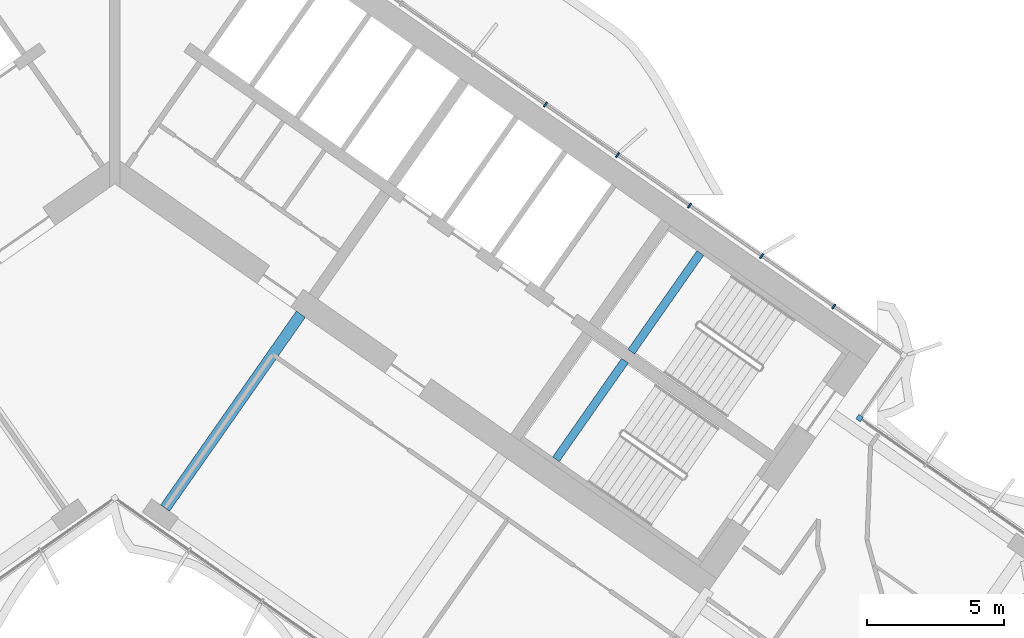
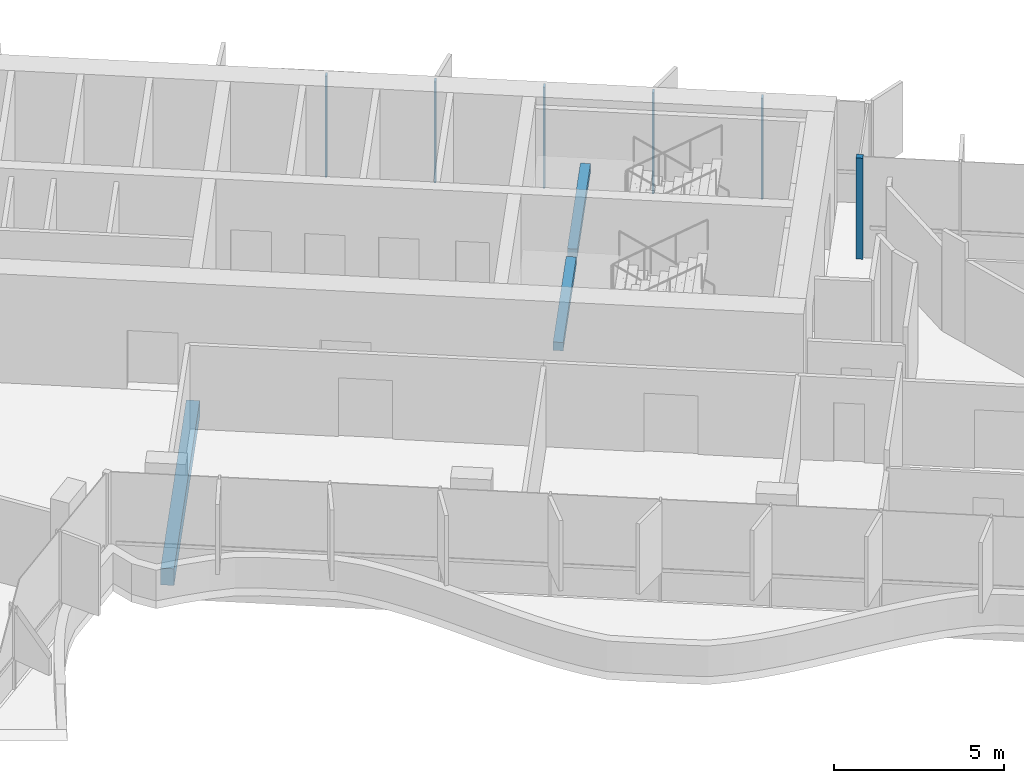
# One storey, part 6 of 21: 6 members, 3 beams, 1 element without a shape of its own.
"""IFC4 building model written with IfcOpenShell, lengths in metres."""

import ifcopenshell
import ifcopenshell.guid

model = None  # the IFC model being written
_history = None  # IfcOwnerHistory: only IFC2X3 demands one
_inside = {}  # id of a spatial element -> (the spatial element, [elements in it])
_under = {}  # id of a project, library or spatial element -> (it, [spatial elements below it])
_declared = {}  # id of a project -> (the project, [libraries it declares])
_typed = {}  # id of a type object -> (the type object, [elements of that type])
_made_of = {}  # id of a material, layer set ... -> (it, [elements and type objects made of it])


def new_model(schema):
    """Start an empty IFC model of exactly this schema.

    Asked for "IFC4X3", IfcOpenShell would pick the latest addendum, in which some entities
    have other attributes; the version numbers below select the first issue.
    IFC2X3 requires an IfcOwnerHistory on every rooted entity: one is made here for all.
    """
    global model, _history
    if schema == "IFC4X3":
        model = ifcopenshell.file(schema_version=(4, 3, 0, 0))
    else:
        model = ifcopenshell.file(schema=schema)
    _inside.clear()
    _under.clear()
    _declared.clear()
    _typed.clear()
    _made_of.clear()
    _history = None
    if model.schema == "IFC2X3":
        org = make("IfcOrganization", Name="unknown")
        user = make(
            "IfcPersonAndOrganization",
            ThePerson=make("IfcPerson", FamilyName="unknown"),
            TheOrganization=org,
        )
        app = make(
            "IfcApplication",
            ApplicationDeveloper=org,
            Version="unknown",
            ApplicationFullName="unknown",
            ApplicationIdentifier="unknown",
        )
        _history = make(
            "IfcOwnerHistory",
            OwningUser=user,
            OwningApplication=app,
            ChangeAction="ADDED",
            CreationDate=0,
        )
    return model


def make(cls, **values):
    """One entity of the class cls with the attributes given. An attribute that is None is left unset."""
    return model.create_entity(
        cls, **{name: value for name, value in values.items() if value is not None}
    )


def rooted(cls, **values):
    """An entity with a GlobalId (a new one), such as an element, a storey or a relation."""
    return make(cls, GlobalId=ifcopenshell.guid.new(), OwnerHistory=_history, **values)


def si_unit(unit_type, name, prefix=None):
    """IfcSIUnit, for example si_unit("LENGTHUNIT", "METRE", prefix="MILLI")."""
    return make("IfcSIUnit", UnitType=unit_type, Prefix=prefix, Name=name)


def assignment(units):
    """IfcUnitAssignment: the units of a project."""
    return None if units is None else make("IfcUnitAssignment", Units=units)


def point(xyz):
    """IfcCartesianPoint."""
    return None if xyz is None else make("IfcCartesianPoint", Coordinates=xyz)


def direction(xyz):
    """IfcDirection."""
    return None if xyz is None else make("IfcDirection", DirectionRatios=xyz)


def frame(location, z_axis=None, x_axis=None):
    """IfcAxis2Placement3D, a coordinate frame: its origin and axes. An axis left out is left unset."""
    return make(
        "IfcAxis2Placement3D",
        Location=point(location),
        Axis=direction(z_axis),
        RefDirection=direction(x_axis),
    )


def frame_2d(location, x_axis=None):
    """IfcAxis2Placement2D, a coordinate frame in the plane: its origin and x axis."""
    return make(
        "IfcAxis2Placement2D", Location=point(location), RefDirection=direction(x_axis)
    )


def origin():
    """The frame at (0, 0, 0) with its axes left unset."""
    return frame((0.0, 0.0, 0.0))


def origin_2d():
    """The frame at (0, 0) in the plane with its x axis left unset."""
    return frame_2d((0.0, 0.0))


def place(relative_to, where):
    """IfcLocalPlacement: puts the frame where relative to a parent placement (None: the world)."""
    return make(
        "IfcLocalPlacement", PlacementRelTo=relative_to, RelativePlacement=where
    )


def context(
    kind, dimensions, precision=None, world=None, true_north=None, identifier=None
):
    """IfcGeometricRepresentationContext, for example the 3D "Model" context."""
    return make(
        "IfcGeometricRepresentationContext",
        ContextIdentifier=identifier,
        ContextType=kind,
        CoordinateSpaceDimension=dimensions,
        Precision=precision,
        WorldCoordinateSystem=world,
        TrueNorth=true_north,
    )


def subcontext(parent, identifier, kind, view, scale=None):
    """IfcGeometricRepresentationSubContext, for example "Body" below "Model"."""
    return make(
        "IfcGeometricRepresentationSubContext",
        ContextIdentifier=identifier,
        ContextType=kind,
        ParentContext=parent,
        TargetScale=scale,
        TargetView=view,
    )


def project(units=None, contexts=None):
    """IfcProject with its units and contexts."""
    return rooted(
        "IfcProject",
        Name="project",
        RepresentationContexts=contexts,
        UnitsInContext=assignment(units),
    )


def spatial(cls, under=None, at=None, **own):
    """A site, building, storey or space (cls), placed at a placement, below another one or the project."""
    s = rooted(cls, ObjectPlacement=at, **own)
    if under is not None:
        _under.setdefault(under.id(), (under, []))[1].append(s)
    return s


def profile(cls, at=None, kind="AREA", **sizes):
    """A parametric profile (cls). Its sizes go by their IFC names, for example OverallWidth=200.0."""
    return make(cls, ProfileType=kind, Position=at, **sizes)


def rectangle(**sizes):
    """IfcRectangleProfileDef."""
    return profile("IfcRectangleProfileDef", **sizes)


def extrude(swept, where, along, depth):
    """IfcExtrudedAreaSolid: the profile swept, set in the frame where, extruded along a direction by depth."""
    return make(
        "IfcExtrudedAreaSolid",
        SweptArea=swept,
        Position=where,
        ExtrudedDirection=direction(along),
        Depth=depth,
    )


def shape(context_of_items, identifier, shape_type, items):
    """IfcShapeRepresentation: the items that make up one representation, for example the "Body"."""
    return make(
        "IfcShapeRepresentation",
        ContextOfItems=context_of_items,
        RepresentationIdentifier=identifier,
        RepresentationType=shape_type,
        Items=items,
    )


def material(Name=None, Category=None):
    """IfcMaterial."""
    return make("IfcMaterial", Name=Name, Category=Category)


def material_profile(
    of_material, cross_section, Name=None, Category=None, Priority=None
):
    """IfcMaterialProfile: a cross section and its material."""
    return make(
        "IfcMaterialProfile",
        Name=Name,
        Material=of_material,
        Profile=cross_section,
        Priority=Priority,
        Category=Category,
    )


def profile_set(profiles, Name=None, composite=None):
    """IfcMaterialProfileSet."""
    return make(
        "IfcMaterialProfileSet",
        Name=Name,
        MaterialProfiles=profiles,
        CompositeProfile=composite,
    )


def made_of(thing, what):
    """Note that an element or type object is made of a material, layer set ...; save() writes the relation."""
    if what is not None:
        _made_of.setdefault(what.id(), (what, []))[1].append(thing)
    return thing


def type_object(cls, material=None, **own):
    """A type object (cls), such as IfcWallType, which elements share."""
    return made_of(rooted(cls, **own), material)


def element(
    cls,
    number,
    at=None,
    inside=None,
    cuts=None,
    type_object=None,
    material=None,
    context=None,
    identifier="Body",
    shape_type=None,
    held_by="IfcProductDefinitionShape",
    body=None,
    shapes=None,
    **own,
):
    """One element of the class cls, such as IfcWall. Its Tag is "e" and its number.

    at: its placement. inside: the storey or other place that contains it. cuts: it is an
    opening in that element (IfcRelVoidsElement). A single representation is given by context,
    identifier, shape_type and body (its items); several are given by shapes. held_by: the class
    of the entity that holds the representations. save() writes the other relations.
    """
    e = rooted(cls, Tag="e%d" % number, ObjectPlacement=at, **own)
    if body is not None:
        shapes = [shape(context, identifier, shape_type, body)]
    if shapes is not None:
        e.Representation = make(held_by, Representations=shapes)
    if inside is not None:
        _inside.setdefault(inside.id(), (inside, []))[1].append(e)
    if cuts is not None:
        rooted(
            "IfcRelVoidsElement", RelatingBuildingElement=cuts, RelatedOpeningElement=e
        )
    if type_object is not None:
        _typed.setdefault(type_object.id(), (type_object, []))[1].append(e)
    return made_of(e, material)


def aggregate(whole, parts):
    """IfcRelAggregates: a whole, such as a stair, and the parts it consists of."""
    return rooted("IfcRelAggregates", RelatingObject=whole, RelatedObjects=parts)


def save(model, path):
    """Write the relations noted so far, then the file.

    IfcRelAggregates (storeys below a building ...), IfcRelContainedInSpatialStructure (elements
    in a storey), IfcRelDefinesByType, IfcRelAssociatesMaterial and IfcRelDeclares: one each for
    every whole, place, type object, material and project.
    """
    for whole, parts in _under.values():
        aggregate(whole, parts)
    for where, things in _inside.values():
        rooted(
            "IfcRelContainedInSpatialStructure",
            RelatedElements=things,
            RelatingStructure=where,
        )
    for kind, things in _typed.values():
        rooted("IfcRelDefinesByType", RelatedObjects=things, RelatingType=kind)
    for what, things in _made_of.values():
        rooted("IfcRelAssociatesMaterial", RelatedObjects=things, RelatingMaterial=what)
    for by, libraries in _declared.values():
        rooted("IfcRelDeclares", RelatingContext=by, RelatedDefinitions=libraries)
    model.write(path)


model = new_model("IFC4")

# Units and contexts
model_context = context("Model", 3, precision=1e-05, world=origin(), true_north=direction((0.0, 1.0)))
body_context = subcontext(model_context, "Body", "Model", "MODEL_VIEW")
ifc_project = project(units=[si_unit("LENGTHUNIT", "METRE"), si_unit("AREAUNIT", "SQUARE_METRE"), si_unit("VOLUMEUNIT", "CUBIC_METRE"), si_unit("PLANEANGLEUNIT", "RADIAN"), si_unit("MASSUNIT", "GRAM", prefix="KILO")], contexts=[model_context])

# Site, building, storey
site_placement = place(None, origin())
site = spatial("IfcSite", under=ifc_project, at=site_placement, CompositionType="ELEMENT")
building_placement = place(site_placement, origin())
building = spatial("IfcBuilding", under=site, at=building_placement, Name="Tel Ilan Convention Tower", CompositionType="ELEMENT")
storey_placement = place(building_placement, frame((0.0, 0.0, 206.10009765625)))
storey = spatial("IfcBuildingStorey", under=building, at=storey_placement, Name="L48", CompositionType="ELEMENT", Elevation=206.10009765625)

# Beam
ifc_material_1 = material(Name="Concrete C40/50", Category="concrete")
ifc_material_profile_1 = material_profile(ifc_material_1, rectangle(XDim=0.39990234375, YDim=0.60009765625, at=origin_2d()), Name="RC 400x600")
ifc_profile_set_1 = profile_set([ifc_material_profile_1], Name="Concrete C40/50")
beam_type_1 = type_object("IfcBeamType", Name="Beam RC 400x600 Concrete C40/50", PredefinedType="BEAM", material=ifc_profile_set_1)
beam_1_placement = place(storey_placement, frame((1.83740234375, -13.06689453125, -0.580078125), z_axis=(0.573574099654, 0.819153680457, 0.0), x_axis=(-0.819153680457, 0.573574099654, 0.0)))
element("IfcBeam", 1, at=beam_1_placement, inside=storey, type_object=beam_type_1, Name="L48 beam E-E-F1-core", PredefinedType="BEAM", context=body_context, shape_type="SweptSolid", body=[
    extrude(rectangle(XDim=0.39990234375, YDim=0.60009765625, at=origin_2d()), origin(), (0.0, 0.0, 1.0), 8.64990234375),
])

# Curtain wall, members
ifc_material_2 = material(Name="Aluminium, bronze anodised", Category="aluminium")
curtain_wall_type = type_object("IfcCurtainWallType", Name="CW2 STICK CURTAIN WALL, SPANDREL PANELS", PredefinedType="NOTDEFINED", material=ifc_material_2)
curtain_wall_placement = place(storey_placement, origin())
curtain_wall = element("IfcCurtainWall", 2, at=curtain_wall_placement, inside=storey, type_object=curtain_wall_type, Name="Curtain wall CW2-38.01", PredefinedType="NOTDEFINED")
ifc_material_3 = material(Name="Aluminium, bronze anodised", Category="aluminium")
ifc_material_profile_2 = material_profile(ifc_material_3, rectangle(XDim=0.199951171875, YDim=0.199951171875, at=origin_2d()), Name="CW CORNER MULLION 200x200")
ifc_profile_set_2 = profile_set([ifc_material_profile_2], Name="Aluminium, bronze anodised")
member_type_1 = type_object("IfcMemberType", Name="CW CORNER MULLION 200x200", PredefinedType="MULLION", material=ifc_profile_set_2)
member_1_placement = place(storey_placement, frame((27.213623046875, -9.77734375, 0.0), z_axis=(0.0, 0.0, 1.0), x_axis=(-0.819152044289, 0.573576436351, 0.0)))
member_1 = element("IfcMember", 3, at=member_1_placement, type_object=member_type_1, Name="Corner mullion", PredefinedType="MULLION", context=body_context, shape_type="SweptSolid", body=[
    extrude(rectangle(XDim=0.199951171875, YDim=0.199951171875, at=origin_2d()), origin(), (0.0, 0.0, 1.0), 3.619873046875),
])
ifc_material_4 = material(Name="Aluminium, bronze anodised", Category="aluminium")
ifc_material_profile_3 = material_profile(ifc_material_4, rectangle(XDim=0.06005859375, YDim=0.199951171875, at=origin_2d()), Name="CW MULLION 60x200")
ifc_profile_set_3 = profile_set([ifc_material_profile_3], Name="Aluminium, bronze anodised")
member_type_2 = type_object("IfcMemberType", Name="CW MULLION 60x200", PredefinedType="MULLION", material=ifc_profile_set_3)
member_2_placement = place(storey_placement, frame((26.268798828125, -5.697509765625, 0.0), z_axis=(0.0, 0.0, 1.0), x_axis=(-0.819152044289, 0.573576436351, 0.0)))
member_2 = element("IfcMember", 4, at=member_2_placement, type_object=member_type_2, Name="Mullion", PredefinedType="MULLION", context=body_context, shape_type="SweptSolid", body=[
    extrude(rectangle(XDim=0.06005859375, YDim=0.199951171875, at=origin_2d()), origin(), (0.0, 0.0, 1.0), 3.619873046875),
])
member_3_placement = place(storey_placement, frame((23.63623046875, -3.854248046875, 0.0), z_axis=(0.0, 0.0, 1.0), x_axis=(-0.819152044289, 0.573576436351, 0.0)))
member_3 = element("IfcMember", 5, at=member_3_placement, type_object=member_type_2, Name="Mullion", PredefinedType="MULLION", context=body_context, shape_type="SweptSolid", body=[
    extrude(rectangle(XDim=0.06005859375, YDim=0.199951171875, at=origin_2d()), origin(), (0.0, 0.0, 1.0), 3.619873046875),
])
member_4_placement = place(storey_placement, frame((21.003662109375, -2.0107421875, 0.0), z_axis=(0.0, 0.0, 1.0), x_axis=(-0.819152044289, 0.573576436351, 0.0)))
member_4 = element("IfcMember", 6, at=member_4_placement, type_object=member_type_2, Name="Mullion", PredefinedType="MULLION", context=body_context, shape_type="SweptSolid", body=[
    extrude(rectangle(XDim=0.06005859375, YDim=0.199951171875, at=origin_2d()), origin(), (0.0, 0.0, 1.0), 3.619873046875),
])
member_5_placement = place(storey_placement, frame((18.37109375, -0.16748046875, 0.0), z_axis=(0.0, 0.0, 1.0), x_axis=(-0.819152044289, 0.573576436351, 0.0)))
member_5 = element("IfcMember", 7, at=member_5_placement, type_object=member_type_2, Name="Mullion", PredefinedType="MULLION", context=body_context, shape_type="SweptSolid", body=[
    extrude(rectangle(XDim=0.06005859375, YDim=0.199951171875, at=origin_2d()), origin(), (0.0, 0.0, 1.0), 3.619873046875),
])
member_6_placement = place(storey_placement, frame((15.73828125, 1.676025390625, 0.0), z_axis=(0.0, 0.0, 1.0), x_axis=(-0.819152044289, 0.573576436351, 0.0)))
member_6 = element("IfcMember", 8, at=member_6_placement, type_object=member_type_2, Name="Mullion", PredefinedType="MULLION", context=body_context, shape_type="SweptSolid", body=[
    extrude(rectangle(XDim=0.06005859375, YDim=0.199951171875, at=origin_2d()), origin(), (0.0, 0.0, 1.0), 3.619873046875),
])
aggregate(curtain_wall, [member_1, member_2, member_3, member_4, member_5, member_6])

# Beams
ifc_material_5 = material(Name="Concrete C40/50", Category="concrete")
ifc_material_profile_4 = material_profile(ifc_material_5, rectangle(XDim=0.300048828125, YDim=0.300048828125, at=origin_2d()), Name="RC 300x300")
ifc_profile_set_4 = profile_set([ifc_material_profile_4], Name="Concrete C40/50")
beam_type_2 = type_object("IfcBeamType", Name="Landing Beam RC 300x300 Concrete C40/50", PredefinedType="BEAM", material=ifc_profile_set_4)
beam_2_placement = place(storey_placement, frame((21.39404296875, -3.7490234375, 1.599853515625), z_axis=(-0.57354426506, -0.819174569928, 0.0), x_axis=(0.819174569928, -0.57354426506, 0.0)))
element("IfcBeam", 9, at=beam_2_placement, inside=storey, type_object=beam_type_2, Name="S3 landing beam L48.1", PredefinedType="BEAM", context=body_context, shape_type="SweptSolid", body=[
    extrude(rectangle(XDim=0.300048828125, YDim=0.300048828125, at=origin_2d()), origin(), (0.0, 0.0, 1.0), 4.400146484375),
])
beam_3_placement = place(storey_placement, frame((18.640869140625, -7.68115234375, 1.599853515625), z_axis=(-0.573570334442, -0.819156316858, 0.0), x_axis=(0.819156316858, -0.573570334442, 0.0)))
element("IfcBeam", 10, at=beam_3_placement, inside=storey, type_object=beam_type_2, Name="S4 landing beam L48.1", PredefinedType="BEAM", context=body_context, shape_type="SweptSolid", body=[
    extrude(rectangle(XDim=0.300048828125, YDim=0.300048828125, at=origin_2d()), origin(), (0.0, 0.0, 1.0), 4.39990234375),
])

save(model, "model.ifc")
